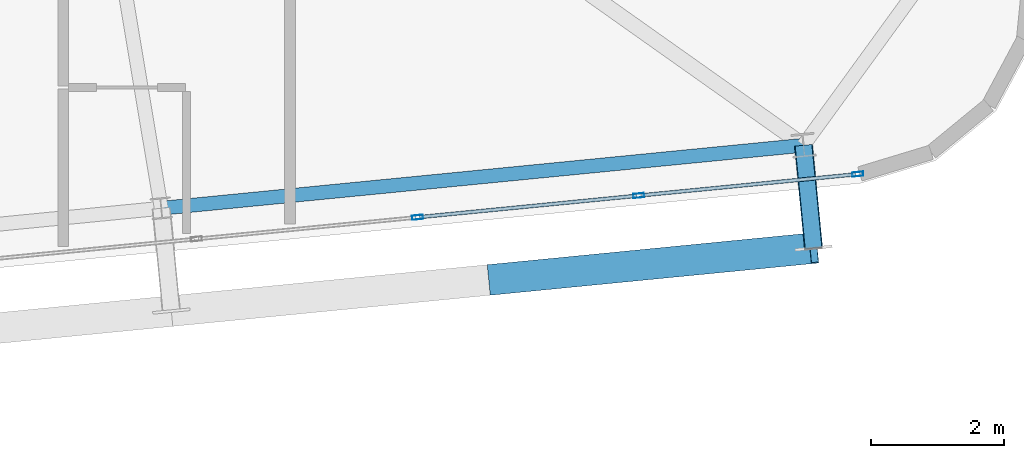
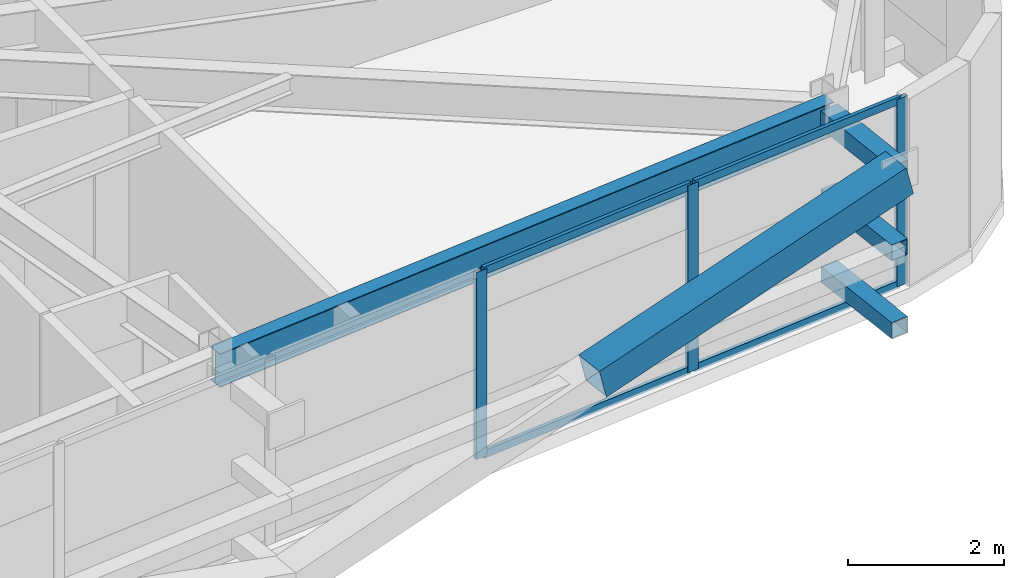
# One storey, part 20 of 52: 11 members, 1 beam, 1 element without a shape of its own.
"""IFC4 building model written with IfcOpenShell, lengths in metres."""

from ifc_helpers import new_model, si_unit, direction, frame, origin, origin_2d, place, context, subcontext, project, spatial, hollow_rectangle, i_section, extrude, source, transform, mapped, material, layer, layer_set, material_profile, profile_set, type_object, element, aggregate, save


model = new_model("IFC4")

# Units and contexts
model_context = context("Model", 3, precision=1e-05, world=origin(), true_north=direction((0.0, 1.0)))
body_context = subcontext(model_context, "Body", "Model", "MODEL_VIEW")
ifc_project = project(units=[si_unit("LENGTHUNIT", "METRE"), si_unit("AREAUNIT", "SQUARE_METRE"), si_unit("VOLUMEUNIT", "CUBIC_METRE"), si_unit("PLANEANGLEUNIT", "RADIAN"), si_unit("MASSUNIT", "GRAM", prefix="KILO")], contexts=[model_context])

# Site, building, storey
site_placement = place(None, origin())
site = spatial("IfcSite", under=ifc_project, at=site_placement, CompositionType="ELEMENT")
building_placement = place(site_placement, origin())
building = spatial("IfcBuilding", under=site, at=building_placement, Name="Taldren Reach Tower", CompositionType="ELEMENT")
storey_placement = place(building_placement, frame((0.0, 0.0, 74.550048828125)))
storey = spatial("IfcBuildingStorey", under=building, at=storey_placement, Name="L22", CompositionType="ELEMENT", Elevation=74.550048828125)

# Members
ifc_material_1 = material(Name="Steel Gr 450 (C450L0)", Category="steel")
ifc_material_profile_1 = material_profile(ifc_material_1, hollow_rectangle(XDim=0.27490234375, YDim=0.27490234375, WallThickness=0.00927734375, at=origin_2d()), Name="275x275x9.3SHS")
ifc_profile_set_1 = profile_set([ifc_material_profile_1], Name="Steel Gr 450 (C450L0)")
member_type_1 = type_object("IfcMemberType", Name="MB-TIE273", PredefinedType="STRUT", material=ifc_profile_set_1)
shared_shape_1 = source(origin(), body_context, "Body", "SweptSolid", [
    extrude(hollow_rectangle(XDim=0.27490234375, YDim=0.27490234375, WallThickness=0.00927734375, at=origin_2d()), origin(), (0.0, 0.0, 1.0), 1.5498046875),
])
member_1_placement = place(storey_placement, frame((63.103271484375, 4.64306640625, 2.64990234375), z_axis=(0.097507178627, -0.995234821595, 0.0), x_axis=(0.995234821595, 0.097507178627, 0.0)))
element("IfcMember", 1, at=member_1_placement, inside=storey, type_object=member_type_1, Name="Exoskeleton diaphragm tie strut B2-S6 L22", PredefinedType="STRUT", context=body_context, shape_type="MappedRepresentation", body=[
    mapped(shared_shape_1, transform((0.0, 0.0, 0.0), scale=1.0)),
])
ifc_material_2 = material(Name="Steel Gr 350 (C350L0)", Category="steel")
ifc_material_profile_2 = material_profile(ifc_material_2, hollow_rectangle(XDim=0.25, YDim=0.25, WallThickness=0.010009765625, at=origin_2d()), Name="250x250x10.0SHS")
ifc_profile_set_2 = profile_set([ifc_material_profile_2], Name="Steel Gr 350 (C350L0)")
member_type_2 = type_object("IfcMemberType", Name="MB-POST250", PredefinedType="POST", material=ifc_profile_set_2)
shared_shape_2 = source(origin(), body_context, "Body", "SweptSolid", [
    extrude(hollow_rectangle(XDim=0.25, YDim=0.25, WallThickness=0.010009765625, at=origin_2d()), origin(), (0.0, 0.0, 1.0), 1.5498046875),
])
for number, where, z_axis, x_axis, name in (
    (2, (63.103271484375, 4.64306640625, 0.219970703125), (0.097507178627, -0.995234821595, 0.0), (0.995234821595, 0.097507178627, 0.0), "Exoskeleton base diaphragm tie strut B2-S6 L22"),
    (3, (63.103271484375, 4.64306640625, 1.43505859375), (0.097507178627, -0.995234821595, 0.0), (0.995234821595, 0.097507178627, 0.0), "Exoskeleton mid-tier diaphragm tie B2-S6 L22"),
):
    element("IfcMember", number, at=place(storey_placement, frame(where, z_axis=z_axis, x_axis=x_axis)), inside=storey, type_object=member_type_2, Name=name, PredefinedType="POST", context=body_context, shape_type="MappedRepresentation", body=[
        mapped(shared_shape_2, transform((0.0, 0.0, 0.0), scale=1.0)),
    ])

# Beam
ifc_material_3 = material(Name="Steel Gr 350 (350PLUS)", Category="steel")
ifc_material_profile_3 = material_profile(ifc_material_3, i_section(OverallWidth=0.208984375, OverallDepth=0.528076171875, WebThickness=0.009521484375, FlangeThickness=0.01318359375, at=origin_2d()), Name="530UB82.0")
ifc_profile_set_3 = profile_set([ifc_material_profile_3], Name="Steel Gr 350 (350PLUS)")
beam_type = type_object("IfcBeamType", Name="SP-UB530B", PredefinedType="SPANDREL", material=ifc_profile_set_3)
shared_shape_3 = source(origin(), body_context, "Body", "SweptSolid", [
    extrude(i_section(OverallWidth=0.208984375, OverallDepth=0.528076171875, WebThickness=0.009521484375, FlangeThickness=0.01318359375, at=origin_2d()), origin(), (0.0, 0.0, 1.0), 9.679931640625),
])
beam_placement = place(storey_placement, frame((53.469482421875, 3.698486328125, 2.666015625), z_axis=(0.995227612658, 0.097580730699, 0.0), x_axis=(-0.097580730699, 0.995227612658, 0.0)))
element("IfcBeam", 4, at=beam_placement, inside=storey, type_object=beam_type, Name="Perimeter spandrel B2 S5-S6 L22", PredefinedType="SPANDREL", context=body_context, shape_type="MappedRepresentation", body=[
    mapped(shared_shape_3, transform((0.0, 0.0, 0.0), scale=1.0)),
])

# Member
ifc_material_profile_4 = material_profile(ifc_material_1, hollow_rectangle(XDim=0.4599609375, YDim=0.4599609375, WallThickness=0.01611328125, at=origin_2d()), Name="460x460x16.0SHS")
ifc_profile_set_4 = profile_set([ifc_material_profile_4], Name="Steel Gr 450 (C450L0)")
member_type_3 = type_object("IfcMemberType", Name="MB-EXO457", PredefinedType="BRACE", material=ifc_profile_set_4)
shared_shape_4 = source(origin(), body_context, "Body", "SweptSolid", [
    extrude(hollow_rectangle(XDim=0.4599609375, YDim=0.4599609375, WallThickness=0.01611328125, at=origin_2d()), origin(), (0.0, 0.0, 1.0), 4.990234375),
])
member_2_placement = place(storey_placement, frame((58.4375, 2.628173828125, 1.43505859375), z_axis=(0.965282554799, 0.094669120301, 0.243448859234), x_axis=(-0.097605711627, 0.995225162995, 0.0)))
element("IfcMember", 5, at=member_2_placement, inside=storey, type_object=member_type_3, Name="Exoskeleton Diagrid Brace B2-S5 L22", PredefinedType="BRACE", context=body_context, shape_type="MappedRepresentation", body=[
    mapped(shared_shape_4, transform((0.0, 0.0, 0.0), scale=1.0)),
])

# Curtain wall, members
ifc_material_4 = material(Name="Aluminium and Low-E Glass Unitised System", Category="aluminium")
ifc_layer = layer(ifc_material_4, 0.159912109375)
ifc_layer_set = layer_set([ifc_layer], Name="Aluminium and Low-E Glass Unitised System")
curtain_wall_type = type_object("IfcCurtainWallType", Name="CW-SYS-3", PredefinedType="NOTDEFINED", material=ifc_layer_set)
curtain_wall_placement = place(storey_placement, origin())
curtain_wall = element("IfcCurtainWall", 6, at=curtain_wall_placement, inside=storey, type_object=curtain_wall_type, Name="Unitised curtain wall CW-L22-S", PredefinedType="NOTDEFINED")
ifc_material_5 = material(Name="Anodised Aluminium 6063-T6", Category="aluminium")
ifc_material_profile_5 = material_profile(ifc_material_5, hollow_rectangle(XDim=0.06494140625, YDim=0.1650390625, WallThickness=0.00390625, at=origin_2d()), Name="ALU-165x65x4RHS")
ifc_profile_set_5 = profile_set([ifc_material_profile_5], Name="Anodised Aluminium 6063-T6")
member_type_4 = type_object("IfcMemberType", Name="CW-MUL-165", PredefinedType="MULLION", material=ifc_profile_set_5)
shared_shape_5 = source(origin(), body_context, "Body", "SweptSolid", [
    extrude(hollow_rectangle(XDim=0.06494140625, YDim=0.1650390625, WallThickness=0.00390625, at=origin_2d()), origin(), (0.0, 0.0, 1.0), 2.929931640625),
])
member_3_placement = place(storey_placement, frame((57.314208984375, 3.56298828125, 0.0), z_axis=(0.0, 0.0, 1.0), x_axis=(-0.097582999046, 0.995227390247, 0.0)))
member_3 = element("IfcMember", 7, at=member_3_placement, type_object=member_type_4, Name="CW-3 mullion 14", PredefinedType="MULLION", context=body_context, shape_type="MappedRepresentation", body=[
    mapped(shared_shape_5, transform((0.0, 0.0, 0.0), scale=1.0)),
])
member_4_placement = place(storey_placement, frame((60.631591796875, 3.888427734375, 0.0), z_axis=(0.0, 0.0, 1.0), x_axis=(-0.097582999046, 0.995227390247, 0.0)))
member_4 = element("IfcMember", 8, at=member_4_placement, type_object=member_type_4, Name="CW-3 mullion 15", PredefinedType="MULLION", context=body_context, shape_type="MappedRepresentation", body=[
    mapped(shared_shape_5, transform((0.0, 0.0, 0.0), scale=1.0)),
])
member_5_placement = place(storey_placement, frame((63.916748046875, 4.21044921875, 0.0), z_axis=(0.0, 0.0, 1.0), x_axis=(-0.097582999046, 0.995227390247, 0.0)))
member_5 = element("IfcMember", 9, at=member_5_placement, type_object=member_type_4, Name="CW-3 mullion 16", PredefinedType="MULLION", context=body_context, shape_type="MappedRepresentation", body=[
    mapped(shared_shape_5, transform((0.0, 0.0, 0.0), scale=1.0)),
])
ifc_material_profile_6 = material_profile(ifc_material_5, hollow_rectangle(XDim=0.054931640625, YDim=0.1201171875, WallThickness=0.0029296875, at=origin_2d()), Name="ALU-120x55x3RHS")
ifc_profile_set_6 = profile_set([ifc_material_profile_6], Name="Anodised Aluminium 6063-T6")
member_type_5 = type_object("IfcMemberType", Name="CW-TRN-135", PredefinedType="USERDEFINED", material=ifc_profile_set_6)
shared_shape_6 = source(origin(), body_context, "Body", "SweptSolid", [
    extrude(hollow_rectangle(XDim=0.054931640625, YDim=0.1201171875, WallThickness=0.0029296875, at=origin_2d()), origin(), (0.0, 0.0, 1.0), 3.23583984375),
])
member_6_placement = place(storey_placement, frame((60.6640625, 3.8916015625, 0.02734375), z_axis=(0.995230248826, 0.097553840629, 0.0), x_axis=(-0.097553840629, 0.995230248826, 0.0)))
member_6 = element("IfcMember", 10, at=member_6_placement, type_object=member_type_5, Name="CW-3 transom 15.1", ObjectType="TRANSOM", PredefinedType="USERDEFINED", context=body_context, shape_type="MappedRepresentation", body=[
    mapped(shared_shape_6, transform((0.0, 0.0, 0.0), scale=1.0)),
])
member_7_placement = place(storey_placement, frame((60.6640625, 3.8916015625, 2.90234375), z_axis=(0.995230248826, 0.097553840629, 0.0), x_axis=(-0.097553840629, 0.995230248826, 0.0)))
member_7 = element("IfcMember", 11, at=member_7_placement, type_object=member_type_5, Name="CW-3 transom 15.2", ObjectType="TRANSOM", PredefinedType="USERDEFINED", context=body_context, shape_type="MappedRepresentation", body=[
    mapped(shared_shape_6, transform((0.0, 0.0, 0.0), scale=1.0)),
])
shared_shape_7 = source(origin(), body_context, "Body", "SweptSolid", [
    extrude(hollow_rectangle(XDim=0.054931640625, YDim=0.1201171875, WallThickness=0.0029296875, at=origin_2d()), origin(), (0.0, 0.0, 1.0), 3.268310546875),
])
member_8_placement = place(storey_placement, frame((57.3466796875, 3.566162109375, 0.02734375), z_axis=(0.995222549564, 0.097632355496, 0.0), x_axis=(-0.097632355496, 0.995222549564, 0.0)))
member_8 = element("IfcMember", 12, at=member_8_placement, type_object=member_type_5, Name="CW-3 transom 14.1", ObjectType="TRANSOM", PredefinedType="USERDEFINED", context=body_context, shape_type="MappedRepresentation", body=[
    mapped(shared_shape_7, transform((0.0, 0.0, 0.0), scale=1.0)),
])
member_9_placement = place(storey_placement, frame((57.3466796875, 3.566162109375, 2.90234375), z_axis=(0.995222549564, 0.097632355496, 0.0), x_axis=(-0.097632355496, 0.995222549564, 0.0)))
member_9 = element("IfcMember", 13, at=member_9_placement, type_object=member_type_5, Name="CW-3 transom 14.2", ObjectType="TRANSOM", PredefinedType="USERDEFINED", context=body_context, shape_type="MappedRepresentation", body=[
    mapped(shared_shape_7, transform((0.0, 0.0, 0.0), scale=1.0)),
])
aggregate(curtain_wall, [member_3, member_4, member_5, member_8, member_9, member_6, member_7])

save(model, "model.ifc")
